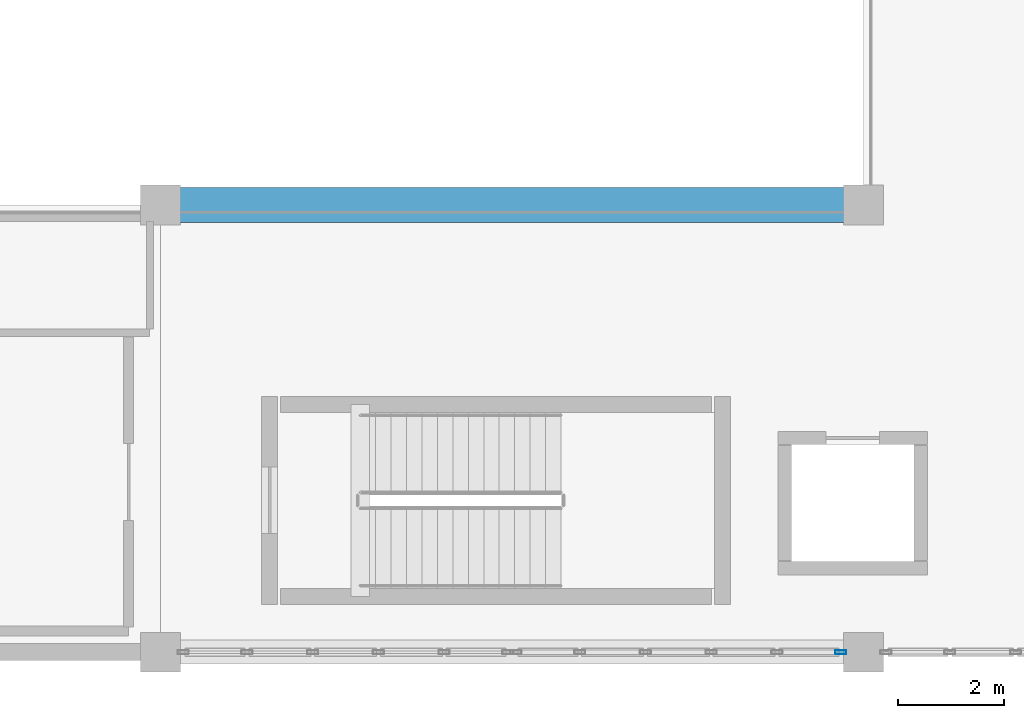
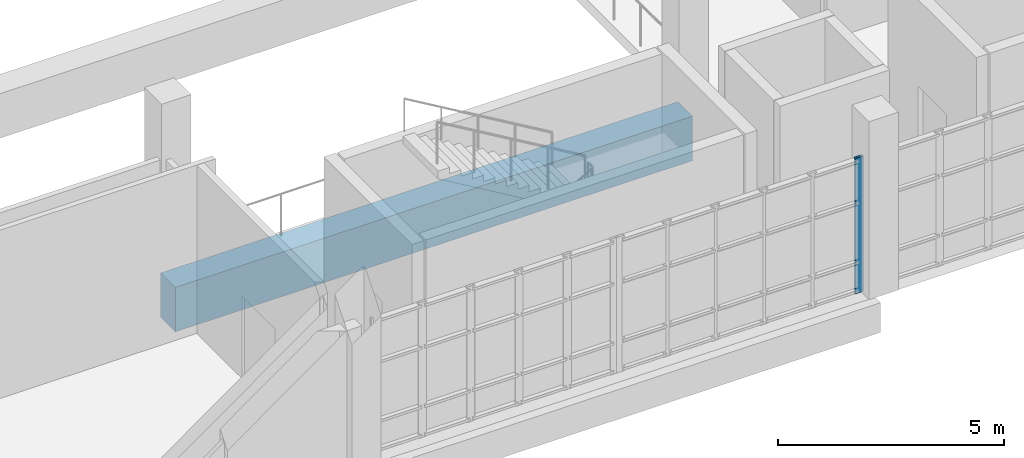
# One storey, part 45 of 106: 1 beam, 1 member, 1 element without a shape of its own.
"""IFC4 building model written with IfcOpenShell, lengths in metres."""

from ifc_helpers import new_model, si_unit, direction, frame, origin, origin_2d, place, context, subcontext, project, spatial, rectangle, hollow_rectangle, extrude, material, layer, layer_set, material_profile, profile_set, type_object, element, aggregate, save


model = new_model("IFC4")

# Units and contexts
model_context = context("Model", 3, precision=1e-05, world=origin(), true_north=direction((0.0, 1.0)))
body_context = subcontext(model_context, "Body", "Model", "MODEL_VIEW")
ifc_project = project(units=[si_unit("LENGTHUNIT", "METRE"), si_unit("AREAUNIT", "SQUARE_METRE"), si_unit("VOLUMEUNIT", "CUBIC_METRE"), si_unit("PLANEANGLEUNIT", "RADIAN"), si_unit("MASSUNIT", "GRAM", prefix="KILO")], contexts=[model_context])

# Site, building, storey
site_placement = place(None, origin())
site = spatial("IfcSite", under=ifc_project, at=site_placement, CompositionType="ELEMENT")
building_placement = place(site_placement, origin())
building = spatial("IfcBuilding", under=site, at=building_placement, Name="Kisaragi Civic Commons", CompositionType="ELEMENT")
storey_placement = place(building_placement, frame((0.0, 0.0, 4.800048828125)))
storey = spatial("IfcBuildingStorey", under=building, at=storey_placement, Name="L01", CompositionType="ELEMENT", Elevation=4.800048828125)

# Curtain wall, member
ifc_material_1 = material(Name="Thermally broken anodized aluminium and low-E double glazing", Category="aluminium")
ifc_layer = layer(ifc_material_1, 0.2099609375, Name="Thermally broken anodized aluminium and low-E double glazing", Category="aluminium")
ifc_layer_set = layer_set([ifc_layer], Name="Thermally broken anodized aluminium and low-E double glazing")
curtain_wall_type = type_object("IfcCurtainWallType", Name="CW-02", PredefinedType="NOTDEFINED", material=ifc_layer_set)
curtain_wall_placement = place(storey_placement, origin())
curtain_wall = element("IfcCurtainWall", 1, at=curtain_wall_placement, inside=storey, type_object=curtain_wall_type, Name="L01 curtain wall CW-02 CW-V3-L01-029", PredefinedType="NOTDEFINED")
ifc_material_profile_1 = material_profile(ifc_material_1, hollow_rectangle(XDim=0.070068359375, YDim=0.2099609375, WallThickness=0.0048828125, InnerFilletRadius=0.0048828125, OuterFilletRadius=0.010009765625, at=origin_2d()), Name="CWM-70x210x5", Category="aluminium")
ifc_profile_set_1 = profile_set([ifc_material_profile_1], Name="Thermally broken anodized aluminium and low-E double glazing")
member_type = type_object("IfcMemberType", Name="CWM-03", PredefinedType="MULLION", material=ifc_profile_set_1)
member_placement = place(storey_placement, frame((159.175048828125, 0.0, 0.0), z_axis=(0.0, 0.0, 1.0), x_axis=(0.0, -1.0, 0.0)))
member = element("IfcMember", 2, at=member_placement, type_object=member_type, Name="CW-02 mullion 1", PredefinedType="MULLION", context=body_context, shape_type="SweptSolid", body=[
    extrude(hollow_rectangle(XDim=0.070068359375, YDim=0.2099609375, WallThickness=0.0048828125, InnerFilletRadius=0.0048828125, OuterFilletRadius=0.010009765625, at=origin_2d()), origin(), (0.0, 0.0, 1.0), 3.655029296875),
])
aggregate(curtain_wall, [member])

# Beam
ifc_material_2 = material(Name="Concrete Fc36", Category="concrete")
ifc_material_profile_2 = material_profile(ifc_material_2, rectangle(XDim=0.64990234375, YDim=1.199951171875, at=origin_2d()), Name="RC-650x1200", Category="concrete")
ifc_profile_set_2 = profile_set([ifc_material_profile_2], Name="Concrete Fc36")
beam_type = type_object("IfcBeamType", Name="G-07", PredefinedType="BEAM", material=ifc_profile_set_2)
beam_placement = place(storey_placement, frame((146.39990234375, 8.39990234375, -0.905029296875), z_axis=(1.0, 0.0, 0.0), x_axis=(0.0, 1.0, 0.0)))
element("IfcBeam", 3, at=beam_placement, inside=storey, type_object=beam_type, Name="L01 girder G-07 209", PredefinedType="BEAM", context=body_context, shape_type="SweptSolid", body=[
    extrude(rectangle(XDim=0.64990234375, YDim=1.199951171875, at=origin_2d()), origin(), (0.0, 0.0, 1.0), 13.2001953125),
])

save(model, "model.ifc")
